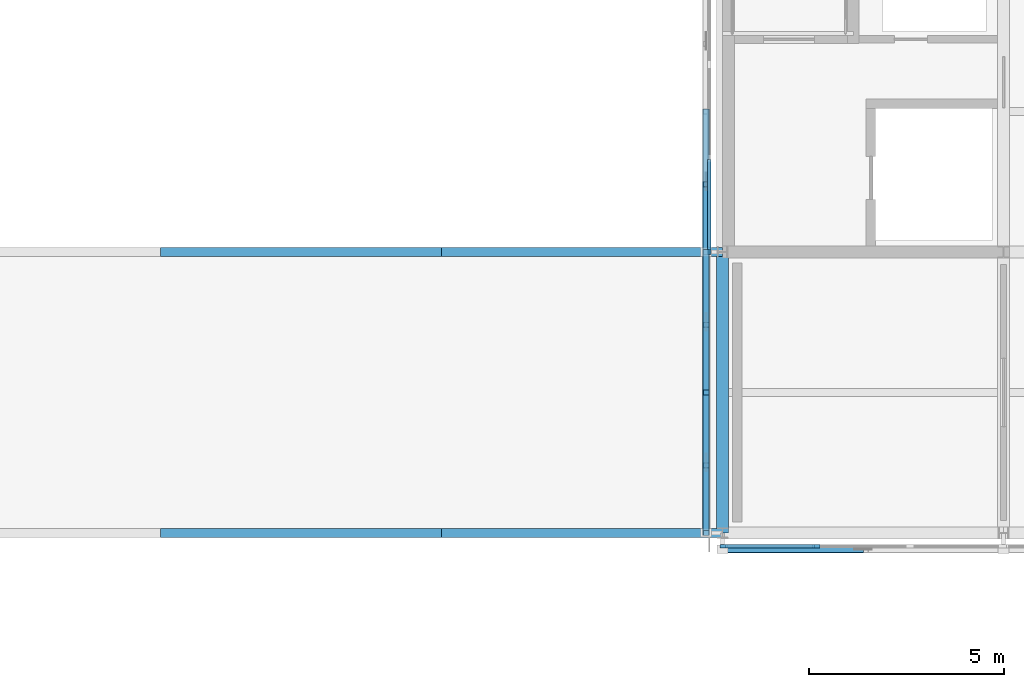
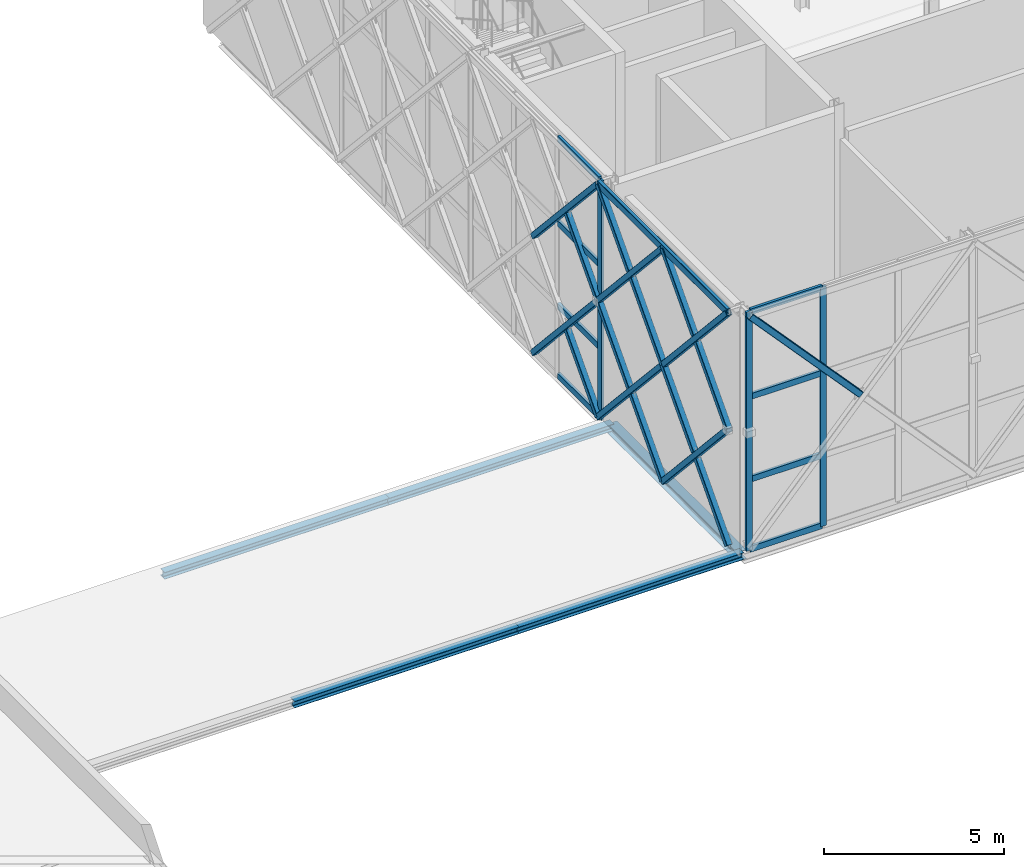
# One storey, part 40 of 76: 29 members, 5 beams, 2 elements without a shape of their own.
"""IFC4 building model written with IfcOpenShell, lengths in metres."""

from ifc_helpers import new_model, si_unit, direction, frame, origin, origin_2d, place, context, subcontext, project, spatial, rectangle, hollow_rectangle, i_section, extrude, material, material_profile, profile_set, type_object, element, aggregate, save


model = new_model("IFC4")

# Units and contexts
model_context = context("Model", 3, precision=1e-05, world=origin(), true_north=direction((0.0, 1.0)))
body_context = subcontext(model_context, "Body", "Model", "MODEL_VIEW")
ifc_project = project(units=[si_unit("LENGTHUNIT", "METRE"), si_unit("AREAUNIT", "SQUARE_METRE"), si_unit("VOLUMEUNIT", "CUBIC_METRE"), si_unit("PLANEANGLEUNIT", "RADIAN"), si_unit("MASSUNIT", "GRAM", prefix="KILO")], contexts=[model_context])

# Site, building, storey
site_placement = place(None, origin())
site = spatial("IfcSite", under=ifc_project, at=site_placement, CompositionType="ELEMENT")
building_placement = place(site_placement, origin())
building = spatial("IfcBuilding", under=site, at=building_placement, Name="Zlatovets Crest Museum", CompositionType="ELEMENT")
storey_placement = place(building_placement, frame((0.0, 0.0, 17.10009765625)))
storey = spatial("IfcBuildingStorey", under=building, at=storey_placement, Name="L04", CompositionType="ELEMENT", Elevation=17.10009765625)

# Beams
ifc_material_1 = material(Name="Structural steel S355J2", Category="steel")
ifc_material_profile_1 = material_profile(ifc_material_1, i_section(OverallWidth=0.300048828125, OverallDepth=0.31005859375, WebThickness=0.009033203125, FlangeThickness=0.015380859375, FilletRadius=0.027099609375, at=origin_2d()), Name="HEA 320")
ifc_profile_set_1 = profile_set([ifc_material_profile_1], Name="Structural steel S355J2")
beam_type_1 = type_object("IfcBeamType", Name="Beam_B-04", PredefinedType="BEAM", material=ifc_profile_set_1)
beam_1_placement = place(storey_placement, frame((57.60009765625, 86.39990234375, -0.39501953125), z_axis=(0.0, 1.0, 0.0), x_axis=(-1.0, 0.0, 0.0)))
element("IfcBeam", 1, at=beam_1_placement, inside=storey, type_object=beam_type_1, Name="V1 L04 Grid Beam B-04", PredefinedType="BEAM", context=body_context, shape_type="SweptSolid", body=[
    extrude(i_section(OverallWidth=0.300048828125, OverallDepth=0.31005859375, WebThickness=0.009033203125, FlangeThickness=0.015380859375, FilletRadius=0.027099609375, at=origin_2d()), origin(), (0.0, 0.0, 1.0), 7.2001953125),
])
ifc_material_profile_2 = material_profile(ifc_material_1, i_section(OverallWidth=0.239990234375, OverallDepth=0.22998046875, WebThickness=0.007568359375, FlangeThickness=0.011962890625, FilletRadius=0.02099609375, at=origin_2d()), Name="HEA 240")
ifc_profile_set_2 = profile_set([ifc_material_profile_2], Name="Structural steel S355J2")
beam_type_2 = type_object("IfcBeamType", Name="Beam_B-06", PredefinedType="BEAM", material=ifc_profile_set_2)
beam_2_placement = place(storey_placement, frame((43.199951171875, 86.39990234375, -0.335205078125), z_axis=(1.0, 0.0, 0.0), x_axis=(0.0, 1.0, 0.0)))
element("IfcBeam", 2, at=beam_2_placement, inside=storey, type_object=beam_type_2, Name="Northwest Crest Glazed Link Bridge Roof Edge Beam", PredefinedType="BEAM", context=body_context, shape_type="SweptSolid", body=[
    extrude(i_section(OverallWidth=0.239990234375, OverallDepth=0.22998046875, WebThickness=0.007568359375, FlangeThickness=0.011962890625, FilletRadius=0.02099609375, at=origin_2d()), origin(), (0.0, 0.0, 1.0), 7.199951171875),
])
beam_3_placement = place(storey_placement, frame((50.39990234375, 86.39990234375, -0.335205078125), z_axis=(1.0, 0.0, 0.0), x_axis=(0.0, 1.0, 0.0)))
element("IfcBeam", 3, at=beam_3_placement, inside=storey, type_object=beam_type_2, Name="Northwest Crest Glazed Link Bridge Roof Edge Beam", PredefinedType="BEAM", context=body_context, shape_type="SweptSolid", body=[
    extrude(i_section(OverallWidth=0.239990234375, OverallDepth=0.22998046875, WebThickness=0.007568359375, FlangeThickness=0.011962890625, FilletRadius=0.02099609375, at=origin_2d()), origin(), (0.0, 0.0, 1.0), 7.2001953125),
])
beam_4_placement = place(storey_placement, frame((43.199951171875, 93.60009765625, -0.335205078125), z_axis=(1.0, 0.0, 0.0), x_axis=(0.0, 1.0, 0.0)))
element("IfcBeam", 4, at=beam_4_placement, inside=storey, type_object=beam_type_2, Name="Northwest Crest Glazed Link Bridge Roof Edge Beam", PredefinedType="BEAM", context=body_context, shape_type="SweptSolid", body=[
    extrude(i_section(OverallWidth=0.239990234375, OverallDepth=0.22998046875, WebThickness=0.007568359375, FlangeThickness=0.011962890625, FilletRadius=0.02099609375, at=origin_2d()), origin(), (0.0, 0.0, 1.0), 7.199951171875),
])
beam_5_placement = place(storey_placement, frame((50.39990234375, 93.60009765625, -0.335205078125), z_axis=(1.0, 0.0, 0.0), x_axis=(0.0, 1.0, 0.0)))
element("IfcBeam", 5, at=beam_5_placement, inside=storey, type_object=beam_type_2, Name="Northwest Crest Glazed Link Bridge Roof Edge Beam", PredefinedType="BEAM", context=body_context, shape_type="SweptSolid", body=[
    extrude(i_section(OverallWidth=0.239990234375, OverallDepth=0.22998046875, WebThickness=0.007568359375, FlangeThickness=0.011962890625, FilletRadius=0.02099609375, at=origin_2d()), origin(), (0.0, 0.0, 1.0), 7.2001953125),
])

# Curtain wall, members
ifc_material_2 = material(Name="Bronze-anodised aluminium and low-E triple glass", Category="aluminium")
curtain_wall_type = type_object("IfcCurtainWallType", Name="CW_CW-V1-L04-M0", PredefinedType="NOTDEFINED", material=ifc_material_2)
curtain_wall_1_placement = place(storey_placement, origin())
curtain_wall_1 = element("IfcCurtainWall", 6, at=curtain_wall_1_placement, inside=storey, type_object=curtain_wall_type, Name="V1 L04 Secession Foyer Clear Curtain Wall", PredefinedType="NOTDEFINED")
ifc_material_3 = material(Name="Bronze-anodised aluminium EN AW-6060", Category="aluminium")
ifc_material_profile_3 = material_profile(ifc_material_3, rectangle(XDim=0.090087890625, YDim=0.199951171875, at=origin_2d()), Name="ALU 90x200")
ifc_profile_set_3 = profile_set([ifc_material_profile_3], Name="Bronze-anodised aluminium EN AW-6060")
member_type_1 = type_object("IfcMemberType", Name="CWMull_M2", PredefinedType="MULLION", material=ifc_profile_set_3)
member_1_placement = place(storey_placement, frame((57.6298828125, 86.06005859375, 0.0), z_axis=(0.0, 0.0, 1.0), x_axis=(0.0, 1.0, 0.0)))
member_1 = element("IfcMember", 7, at=member_1_placement, type_object=member_type_1, Name="CW-V1-L04-M0 mullion 1", PredefinedType="MULLION", context=body_context, shape_type="SweptSolid", body=[
    extrude(rectangle(XDim=0.090087890625, YDim=0.199951171875, at=origin_2d()), origin(), (0.0, 0.0, 1.0), 8.099853515625),
])
member_2_placement = place(storey_placement, frame((60.0, 86.06005859375, 0.0), z_axis=(0.0, 0.0, 1.0), x_axis=(0.0, 1.0, 0.0)))
member_2 = element("IfcMember", 8, at=member_2_placement, type_object=member_type_1, Name="CW-V1-L04-M0 mullion 2", PredefinedType="MULLION", context=body_context, shape_type="SweptSolid", body=[
    extrude(rectangle(XDim=0.090087890625, YDim=0.199951171875, at=origin_2d()), origin(), (0.0, 0.0, 1.0), 8.099853515625),
])

# Curtain wall, member
curtain_wall_2_placement = place(storey_placement, origin())
curtain_wall_2 = element("IfcCurtainWall", 9, at=curtain_wall_2_placement, inside=storey, type_object=curtain_wall_type, Name="V1 L04 Expressed Core Glazed Facade", PredefinedType="NOTDEFINED")
member_3_placement = place(storey_placement, frame((57.260009765625, 93.6298828125, 0.0), z_axis=(0.0, 0.0, 1.0), x_axis=(1.0, 0.0, 0.0)))
member_3 = element("IfcMember", 10, at=member_3_placement, type_object=member_type_1, Name="CW-V1-L04-M0 mullion 4", PredefinedType="MULLION", context=body_context, shape_type="SweptSolid", body=[
    extrude(rectangle(XDim=0.090087890625, YDim=0.199951171875, at=origin_2d()), origin(), (0.0, 0.0, 1.0), 8.099853515625),
])

# Member
ifc_material_profile_4 = material_profile(ifc_material_3, rectangle(XDim=0.090087890625, YDim=0.199951171875, at=origin_2d()), Name="ALU 90x200")
ifc_profile_set_4 = profile_set([ifc_material_profile_4], Name="Bronze-anodised aluminium EN AW-6060")
member_type_2 = type_object("IfcMemberType", Name="CWTrans_T2", PredefinedType="USERDEFINED", material=ifc_profile_set_4)
member_4_placement = place(storey_placement, frame((57.659912109375, 86.06005859375, 0.02978515625), z_axis=(1.0, 0.0, 0.0), x_axis=(0.0, 1.0, 0.0)))
member_4 = element("IfcMember", 11, at=member_4_placement, type_object=member_type_2, Name="CW-V1-L04-M0 transom 1.1", ObjectType="TRANSOM", PredefinedType="USERDEFINED", context=body_context, shape_type="SweptSolid", body=[
    extrude(rectangle(XDim=0.090087890625, YDim=0.199951171875, at=origin_2d()), origin(), (0.0, 0.0, 1.0), 2.31005859375),
])

member_5_placement = place(storey_placement, frame((57.659912109375, 86.06005859375, 2.39990234375), z_axis=(1.0, 0.0, 0.0), x_axis=(0.0, 1.0, 0.0)))
member_5 = element("IfcMember", 12, at=member_5_placement, type_object=member_type_2, Name="CW-V1-L04-M0 transom 1.2", ObjectType="TRANSOM", PredefinedType="USERDEFINED", context=body_context, shape_type="SweptSolid", body=[
    extrude(rectangle(XDim=0.090087890625, YDim=0.199951171875, at=origin_2d()), origin(), (0.0, 0.0, 1.0), 2.31005859375),
])

member_6_placement = place(storey_placement, frame((57.659912109375, 86.06005859375, 5.199951171875), z_axis=(1.0, 0.0, 0.0), x_axis=(0.0, 1.0, 0.0)))
member_6 = element("IfcMember", 13, at=member_6_placement, type_object=member_type_2, Name="CW-V1-L04-M0 transom 1.3", ObjectType="TRANSOM", PredefinedType="USERDEFINED", context=body_context, shape_type="SweptSolid", body=[
    extrude(rectangle(XDim=0.090087890625, YDim=0.199951171875, at=origin_2d()), origin(), (0.0, 0.0, 1.0), 2.31005859375),
])

member_7_placement = place(storey_placement, frame((57.659912109375, 86.06005859375, 8.06982421875), z_axis=(1.0, 0.0, 0.0), x_axis=(0.0, 1.0, 0.0)))
member_7 = element("IfcMember", 14, at=member_7_placement, type_object=member_type_2, Name="CW-V1-L04-M0 transom 1.4", ObjectType="TRANSOM", PredefinedType="USERDEFINED", context=body_context, shape_type="SweptSolid", body=[
    extrude(rectangle(XDim=0.090087890625, YDim=0.199951171875, at=origin_2d()), origin(), (0.0, 0.0, 1.0), 2.31005859375),
])

aggregate(curtain_wall_1, [member_1, member_2, member_4, member_5, member_6, member_7])

member_8_placement = place(storey_placement, frame((57.260009765625, 95.969970703125, 0.02978515625), z_axis=(0.0, -1.0, 0.0), x_axis=(1.0, 0.0, 0.0)))
member_8 = element("IfcMember", 15, at=member_8_placement, type_object=member_type_2, Name="CW-V1-L04-M0 transom 3.1", ObjectType="TRANSOM", PredefinedType="USERDEFINED", context=body_context, shape_type="SweptSolid", body=[
    extrude(rectangle(XDim=0.090087890625, YDim=0.199951171875, at=origin_2d()), origin(), (0.0, 0.0, 1.0), 2.31005859375),
])

member_9_placement = place(storey_placement, frame((57.260009765625, 95.969970703125, 2.39990234375), z_axis=(0.0, -1.0, 0.0), x_axis=(1.0, 0.0, 0.0)))
member_9 = element("IfcMember", 16, at=member_9_placement, type_object=member_type_2, Name="CW-V1-L04-M0 transom 3.2", ObjectType="TRANSOM", PredefinedType="USERDEFINED", context=body_context, shape_type="SweptSolid", body=[
    extrude(rectangle(XDim=0.090087890625, YDim=0.199951171875, at=origin_2d()), origin(), (0.0, 0.0, 1.0), 2.31005859375),
])

member_10_placement = place(storey_placement, frame((57.260009765625, 95.969970703125, 5.199951171875), z_axis=(0.0, -1.0, 0.0), x_axis=(1.0, 0.0, 0.0)))
member_10 = element("IfcMember", 17, at=member_10_placement, type_object=member_type_2, Name="CW-V1-L04-M0 transom 3.3", ObjectType="TRANSOM", PredefinedType="USERDEFINED", context=body_context, shape_type="SweptSolid", body=[
    extrude(rectangle(XDim=0.090087890625, YDim=0.199951171875, at=origin_2d()), origin(), (0.0, 0.0, 1.0), 2.31005859375),
])

member_11_placement = place(storey_placement, frame((57.260009765625, 95.969970703125, 8.06982421875), z_axis=(0.0, -1.0, 0.0), x_axis=(1.0, 0.0, 0.0)))
member_11 = element("IfcMember", 18, at=member_11_placement, type_object=member_type_2, Name="CW-V1-L04-M0 transom 3.4", ObjectType="TRANSOM", PredefinedType="USERDEFINED", context=body_context, shape_type="SweptSolid", body=[
    extrude(rectangle(XDim=0.090087890625, YDim=0.199951171875, at=origin_2d()), origin(), (0.0, 0.0, 1.0), 2.31005859375),
])

aggregate(curtain_wall_2, [member_3, member_8, member_9, member_10, member_11])

# Members
ifc_material_4 = material(Name="Weathering bronze-steel S355J2W", Category="steel")
ifc_material_profile_5 = material_profile(ifc_material_4, hollow_rectangle(XDim=0.179931640625, YDim=0.179931640625, WallThickness=0.010009765625, InnerFilletRadius=0.010009765625, OuterFilletRadius=0.02001953125, at=origin_2d()), Name="SHS 180x180x10.0")
ifc_profile_set_5 = profile_set([ifc_material_profile_5], Name="Weathering bronze-steel S355J2W")
member_type_3 = type_object("IfcMemberType", Name="Lattice_XL-01", PredefinedType="BRACE", material=ifc_profile_set_5)
member_12_placement = place(storey_placement, frame((57.179931640625, 97.199951171875, 0.099853515625), z_axis=(0.0, -0.673593164257, 0.739102326519), x_axis=(1.0, 0.0, 0.0)))
element("IfcMember", 19, at=member_12_placement, inside=storey, type_object=member_type_3, Name="Continuous Bronze Lattice Diagonal", PredefinedType="BRACE", context=body_context, shape_type="SweptSolid", body=[
    extrude(hollow_rectangle(XDim=0.179931640625, YDim=0.179931640625, WallThickness=0.010009765625, InnerFilletRadius=0.010009765625, OuterFilletRadius=0.02001953125, at=origin_2d()), origin(), (0.0, 0.0, 1.0), 5.34423828125),
])
member_13_placement = place(storey_placement, frame((57.179931640625, 95.3359375, 2.004638671875), z_axis=(0.0, -0.673568214247, -0.739125064354), x_axis=(1.0, 0.0, 0.0)))
element("IfcMember", 20, at=member_13_placement, inside=storey, type_object=member_type_3, Name="Split Crossing Bronze Lattice Diagonal Lower", PredefinedType="BRACE", context=body_context, shape_type="SweptSolid", body=[
    extrude(hollow_rectangle(XDim=0.179931640625, YDim=0.179931640625, WallThickness=0.010009765625, InnerFilletRadius=0.010009765625, OuterFilletRadius=0.02001953125, at=origin_2d()), origin(), (0.0, 0.0, 1.0), 2.5771484375),
])
member_14_placement = place(storey_placement, frame((57.179931640625, 97.199951171875, 4.0498046875), z_axis=(0.0, -0.67357042132, 0.739123053032), x_axis=(1.0, 0.0, 0.0)))
element("IfcMember", 21, at=member_14_placement, inside=storey, type_object=member_type_3, Name="Continuous Bronze Lattice Diagonal", PredefinedType="BRACE", context=body_context, shape_type="SweptSolid", body=[
    extrude(hollow_rectangle(XDim=0.179931640625, YDim=0.179931640625, WallThickness=0.010009765625, InnerFilletRadius=0.010009765625, OuterFilletRadius=0.02001953125, at=origin_2d()), origin(), (0.0, 0.0, 1.0), 5.344482421875),
])
member_15_placement = place(storey_placement, frame((57.179931640625, 95.3359375, 5.95458984375), z_axis=(0.0, -0.673568214247, -0.739125064354), x_axis=(1.0, 0.0, 0.0)))
element("IfcMember", 22, at=member_15_placement, inside=storey, type_object=member_type_3, Name="Split Crossing Bronze Lattice Diagonal Lower", PredefinedType="BRACE", context=body_context, shape_type="SweptSolid", body=[
    extrude(hollow_rectangle(XDim=0.179931640625, YDim=0.179931640625, WallThickness=0.010009765625, InnerFilletRadius=0.010009765625, OuterFilletRadius=0.02001953125, at=origin_2d()), origin(), (0.0, 0.0, 1.0), 2.5771484375),
])
member_16_placement = place(storey_placement, frame((57.179931640625, 93.60009765625, 0.099853515625), z_axis=(0.0, -0.673618118362, 0.739079583411), x_axis=(1.0, 0.0, 0.0)))
element("IfcMember", 23, at=member_16_placement, inside=storey, type_object=member_type_3, Name="Continuous Bronze Lattice Diagonal", PredefinedType="BRACE", context=body_context, shape_type="SweptSolid", body=[
    extrude(hollow_rectangle(XDim=0.179931640625, YDim=0.179931640625, WallThickness=0.010009765625, InnerFilletRadius=0.010009765625, OuterFilletRadius=0.02001953125, at=origin_2d()), origin(), (0.0, 0.0, 1.0), 5.344482421875),
])
for number, where, z_axis, x_axis, name in (
    (24, (57.179931640625, 93.60009765625, 4.0498046875), (0.0, -0.673619963761, -0.739077901457), (1.0, 0.0, 0.0), "Split Crossing Bronze Lattice Diagonal Upper"),
    (25, (57.179931640625, 91.736083984375, 2.004638671875), (0.0, -0.673619963761, -0.739077901457), (1.0, 0.0, 0.0), "Split Crossing Bronze Lattice Diagonal Lower"),
):
    element("IfcMember", number, at=place(storey_placement, frame(where, z_axis=z_axis, x_axis=x_axis)), inside=storey, type_object=member_type_3, Name=name, PredefinedType="BRACE", context=body_context, shape_type="SweptSolid", body=[
        extrude(hollow_rectangle(XDim=0.179931640625, YDim=0.179931640625, WallThickness=0.010009765625, InnerFilletRadius=0.010009765625, OuterFilletRadius=0.02001953125, at=origin_2d()), origin(), (0.0, 0.0, 1.0), 2.5771484375),
    ])
member_17_placement = place(storey_placement, frame((57.179931640625, 90.0, 0.099853515625), z_axis=(0.0, -0.673618118362, 0.739079583411), x_axis=(1.0, 0.0, 0.0)))
element("IfcMember", 26, at=member_17_placement, inside=storey, type_object=member_type_3, Name="Continuous Bronze Lattice Diagonal", PredefinedType="BRACE", context=body_context, shape_type="SweptSolid", body=[
    extrude(hollow_rectangle(XDim=0.179931640625, YDim=0.179931640625, WallThickness=0.010009765625, InnerFilletRadius=0.010009765625, OuterFilletRadius=0.02001953125, at=origin_2d()), origin(), (0.0, 0.0, 1.0), 5.344482421875),
])
for number, where, z_axis, x_axis, name in (
    (27, (57.179931640625, 90.0, 4.0498046875), (0.0, -0.673619963761, -0.739077901457), (1.0, 0.0, 0.0), "Split Crossing Bronze Lattice Diagonal Upper"),
    (28, (57.179931640625, 88.135986328125, 2.004638671875), (0.0, -0.673619963761, -0.739077901457), (1.0, 0.0, 0.0), "Split Crossing Bronze Lattice Diagonal Lower"),
):
    element("IfcMember", number, at=place(storey_placement, frame(where, z_axis=z_axis, x_axis=x_axis)), inside=storey, type_object=member_type_3, Name=name, PredefinedType="BRACE", context=body_context, shape_type="SweptSolid", body=[
        extrude(hollow_rectangle(XDim=0.179931640625, YDim=0.179931640625, WallThickness=0.010009765625, InnerFilletRadius=0.010009765625, OuterFilletRadius=0.02001953125, at=origin_2d()), origin(), (0.0, 0.0, 1.0), 2.5771484375),
    ])
member_18_placement = place(storey_placement, frame((57.179931640625, 93.60009765625, 4.0498046875), z_axis=(0.0, -0.673595375981, 0.739100310822), x_axis=(1.0, 0.0, 0.0)))
element("IfcMember", 29, at=member_18_placement, inside=storey, type_object=member_type_3, Name="Continuous Bronze Lattice Diagonal", PredefinedType="BRACE", context=body_context, shape_type="SweptSolid", body=[
    extrude(hollow_rectangle(XDim=0.179931640625, YDim=0.179931640625, WallThickness=0.010009765625, InnerFilletRadius=0.010009765625, OuterFilletRadius=0.02001953125, at=origin_2d()), origin(), (0.0, 0.0, 1.0), 5.344482421875),
])
for number, where, z_axis, x_axis, name in (
    (30, (57.179931640625, 93.60009765625, 8.0), (0.0, -0.673619963761, -0.739077901457), (1.0, 0.0, 0.0), "Split Crossing Bronze Lattice Diagonal Upper"),
    (31, (57.179931640625, 91.736083984375, 5.95458984375), (0.0, -0.673619963761, -0.739077901457), (1.0, 0.0, 0.0), "Split Crossing Bronze Lattice Diagonal Lower"),
):
    element("IfcMember", number, at=place(storey_placement, frame(where, z_axis=z_axis, x_axis=x_axis)), inside=storey, type_object=member_type_3, Name=name, PredefinedType="BRACE", context=body_context, shape_type="SweptSolid", body=[
        extrude(hollow_rectangle(XDim=0.179931640625, YDim=0.179931640625, WallThickness=0.010009765625, InnerFilletRadius=0.010009765625, OuterFilletRadius=0.02001953125, at=origin_2d()), origin(), (0.0, 0.0, 1.0), 2.5771484375),
    ])
member_19_placement = place(storey_placement, frame((57.179931640625, 90.0, 4.0498046875), z_axis=(0.0, -0.673595375981, 0.739100310822), x_axis=(1.0, 0.0, 0.0)))
element("IfcMember", 32, at=member_19_placement, inside=storey, type_object=member_type_3, Name="Continuous Bronze Lattice Diagonal", PredefinedType="BRACE", context=body_context, shape_type="SweptSolid", body=[
    extrude(hollow_rectangle(XDim=0.179931640625, YDim=0.179931640625, WallThickness=0.010009765625, InnerFilletRadius=0.010009765625, OuterFilletRadius=0.02001953125, at=origin_2d()), origin(), (0.0, 0.0, 1.0), 5.344482421875),
])
for number, where, z_axis, x_axis, name in (
    (33, (57.179931640625, 90.0, 8.0), (0.0, -0.673619963761, -0.739077901457), (1.0, 0.0, 0.0), "Split Crossing Bronze Lattice Diagonal Upper"),
    (34, (57.179931640625, 88.135986328125, 5.95458984375), (0.0, -0.673619963761, -0.739077901457), (1.0, 0.0, 0.0), "Split Crossing Bronze Lattice Diagonal Lower"),
):
    element("IfcMember", number, at=place(storey_placement, frame(where, z_axis=z_axis, x_axis=x_axis)), inside=storey, type_object=member_type_3, Name=name, PredefinedType="BRACE", context=body_context, shape_type="SweptSolid", body=[
        extrude(hollow_rectangle(XDim=0.179931640625, YDim=0.179931640625, WallThickness=0.010009765625, InnerFilletRadius=0.010009765625, OuterFilletRadius=0.02001953125, at=origin_2d()), origin(), (0.0, 0.0, 1.0), 2.5771484375),
    ])
ifc_material_profile_6 = material_profile(ifc_material_4, hollow_rectangle(XDim=0.199951171875, YDim=0.199951171875, WallThickness=0.012451171875, InnerFilletRadius=0.012451171875, OuterFilletRadius=0.02490234375, at=origin_2d()), Name="SHS 200x200x12.5")
ifc_profile_set_6 = profile_set([ifc_material_profile_6], Name="Weathering bronze-steel S355J2W")
member_type_4 = type_object("IfcMemberType", Name="Lattice_XL-02", PredefinedType="BRACE", material=ifc_profile_set_6)
member_20_placement = place(storey_placement, frame((57.60009765625, 85.97998046875, 8.0), z_axis=(0.673582041572, 0.0, -0.73911246321), x_axis=(0.0, 1.0, 0.0)))
element("IfcMember", 35, at=member_20_placement, inside=storey, type_object=member_type_4, Name="Split Crossing Bronze Lattice Diagonal Upper", PredefinedType="BRACE", context=body_context, shape_type="SweptSolid", body=[
    extrude(hollow_rectangle(XDim=0.199951171875, YDim=0.199951171875, WallThickness=0.012451171875, InnerFilletRadius=0.012451171875, OuterFilletRadius=0.02490234375, at=origin_2d()), origin(), (0.0, 0.0, 1.0), 5.249267578125),
])
ifc_material_profile_7 = material_profile(ifc_material_4, hollow_rectangle(XDim=0.1201171875, YDim=0.239990234375, WallThickness=0.010009765625, InnerFilletRadius=0.010009765625, OuterFilletRadius=0.02001953125, at=origin_2d()), Name="RHS 120x240x10.0")
ifc_profile_set_7 = profile_set([ifc_material_profile_7], Name="Weathering bronze-steel S355J2W")
member_type_5 = type_object("IfcMemberType", Name="Lattice_XL-04", PredefinedType="CHORD", material=ifc_profile_set_7)
member_21_placement = place(storey_placement, frame((57.179931640625, 93.60009765625, 8.0), z_axis=(0.0, -1.0, 0.0), x_axis=(1.0, 0.0, 0.0)))
element("IfcMember", 36, at=member_21_placement, inside=storey, type_object=member_type_5, Name="Art Nouveau Woven Cage Collector Ring Chord", PredefinedType="CHORD", context=body_context, shape_type="SweptSolid", body=[
    extrude(hollow_rectangle(XDim=0.1201171875, YDim=0.239990234375, WallThickness=0.010009765625, InnerFilletRadius=0.010009765625, OuterFilletRadius=0.02001953125, at=origin_2d()), origin(), (0.0, 0.0, 1.0), 7.2001953125),
])

save(model, "model.ifc")
